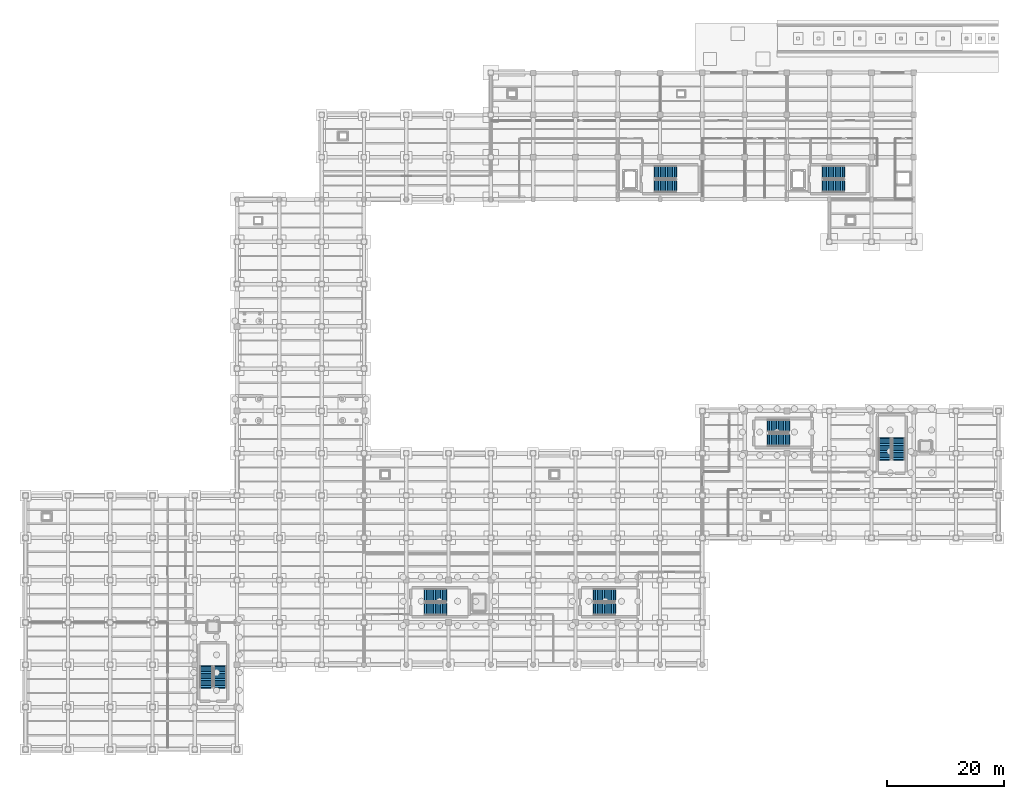
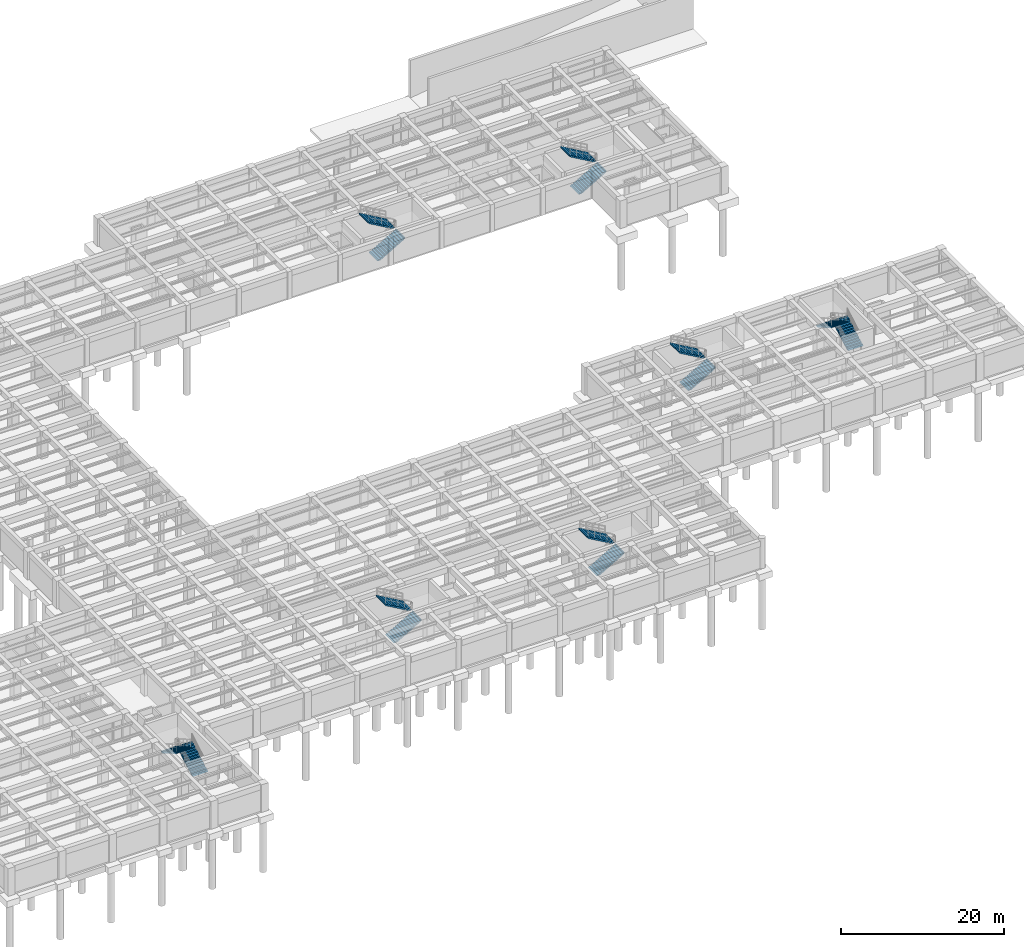
# One storey, part 23 of 34: 14 stair flights, 7 elements without a shape of their own.
"""IFC4 building model written with IfcOpenShell, lengths in metres."""

import ifcopenshell
import ifcopenshell.guid

model = None  # the IFC model being written
_history = None  # IfcOwnerHistory: only IFC2X3 demands one
_inside = {}  # id of a spatial element -> (the spatial element, [elements in it])
_under = {}  # id of a project, library or spatial element -> (it, [spatial elements below it])
_declared = {}  # id of a project -> (the project, [libraries it declares])
_typed = {}  # id of a type object -> (the type object, [elements of that type])
_made_of = {}  # id of a material, layer set ... -> (it, [elements and type objects made of it])


def new_model(schema):
    """Start an empty IFC model of exactly this schema.

    Asked for "IFC4X3", IfcOpenShell would pick the latest addendum, in which some entities
    have other attributes; the version numbers below select the first issue.
    IFC2X3 requires an IfcOwnerHistory on every rooted entity: one is made here for all.
    """
    global model, _history
    if schema == "IFC4X3":
        model = ifcopenshell.file(schema_version=(4, 3, 0, 0))
    else:
        model = ifcopenshell.file(schema=schema)
    _inside.clear()
    _under.clear()
    _declared.clear()
    _typed.clear()
    _made_of.clear()
    _history = None
    if model.schema == "IFC2X3":
        org = make("IfcOrganization", Name="unknown")
        user = make(
            "IfcPersonAndOrganization",
            ThePerson=make("IfcPerson", FamilyName="unknown"),
            TheOrganization=org,
        )
        app = make(
            "IfcApplication",
            ApplicationDeveloper=org,
            Version="unknown",
            ApplicationFullName="unknown",
            ApplicationIdentifier="unknown",
        )
        _history = make(
            "IfcOwnerHistory",
            OwningUser=user,
            OwningApplication=app,
            ChangeAction="ADDED",
            CreationDate=0,
        )
    return model


def make(cls, **values):
    """One entity of the class cls with the attributes given. An attribute that is None is left unset."""
    return model.create_entity(
        cls, **{name: value for name, value in values.items() if value is not None}
    )


def rooted(cls, **values):
    """An entity with a GlobalId (a new one), such as an element, a storey or a relation."""
    return make(cls, GlobalId=ifcopenshell.guid.new(), OwnerHistory=_history, **values)


def si_unit(unit_type, name, prefix=None):
    """IfcSIUnit, for example si_unit("LENGTHUNIT", "METRE", prefix="MILLI")."""
    return make("IfcSIUnit", UnitType=unit_type, Prefix=prefix, Name=name)


def assignment(units):
    """IfcUnitAssignment: the units of a project."""
    return None if units is None else make("IfcUnitAssignment", Units=units)


def point(xyz):
    """IfcCartesianPoint."""
    return None if xyz is None else make("IfcCartesianPoint", Coordinates=xyz)


def direction(xyz):
    """IfcDirection."""
    return None if xyz is None else make("IfcDirection", DirectionRatios=xyz)


def frame(location, z_axis=None, x_axis=None):
    """IfcAxis2Placement3D, a coordinate frame: its origin and axes. An axis left out is left unset."""
    return make(
        "IfcAxis2Placement3D",
        Location=point(location),
        Axis=direction(z_axis),
        RefDirection=direction(x_axis),
    )


def origin():
    """The frame at (0, 0, 0) with its axes left unset."""
    return frame((0.0, 0.0, 0.0))


def place(relative_to, where):
    """IfcLocalPlacement: puts the frame where relative to a parent placement (None: the world)."""
    return make(
        "IfcLocalPlacement", PlacementRelTo=relative_to, RelativePlacement=where
    )


def context(
    kind, dimensions, precision=None, world=None, true_north=None, identifier=None
):
    """IfcGeometricRepresentationContext, for example the 3D "Model" context."""
    return make(
        "IfcGeometricRepresentationContext",
        ContextIdentifier=identifier,
        ContextType=kind,
        CoordinateSpaceDimension=dimensions,
        Precision=precision,
        WorldCoordinateSystem=world,
        TrueNorth=true_north,
    )


def subcontext(parent, identifier, kind, view, scale=None):
    """IfcGeometricRepresentationSubContext, for example "Body" below "Model"."""
    return make(
        "IfcGeometricRepresentationSubContext",
        ContextIdentifier=identifier,
        ContextType=kind,
        ParentContext=parent,
        TargetScale=scale,
        TargetView=view,
    )


def project(units=None, contexts=None):
    """IfcProject with its units and contexts."""
    return rooted(
        "IfcProject",
        Name="project",
        RepresentationContexts=contexts,
        UnitsInContext=assignment(units),
    )


def spatial(cls, under=None, at=None, **own):
    """A site, building, storey or space (cls), placed at a placement, below another one or the project."""
    s = rooted(cls, ObjectPlacement=at, **own)
    if under is not None:
        _under.setdefault(under.id(), (under, []))[1].append(s)
    return s


def polyline(points):
    """IfcPolyline through the points."""
    return make("IfcPolyline", Points=[point(p) for p in points])


def outline(outer, holes=None, kind="AREA"):
    """IfcArbitraryClosedProfileDef: a profile drawn as a closed curve; with holes, ...WithVoids."""
    if holes is None:
        return make("IfcArbitraryClosedProfileDef", ProfileType=kind, OuterCurve=outer)
    return make(
        "IfcArbitraryProfileDefWithVoids",
        ProfileType=kind,
        OuterCurve=outer,
        InnerCurves=holes,
    )


def extrude(swept, where, along, depth):
    """IfcExtrudedAreaSolid: the profile swept, set in the frame where, extruded along a direction by depth."""
    return make(
        "IfcExtrudedAreaSolid",
        SweptArea=swept,
        Position=where,
        ExtrudedDirection=direction(along),
        Depth=depth,
    )


def shape(context_of_items, identifier, shape_type, items):
    """IfcShapeRepresentation: the items that make up one representation, for example the "Body"."""
    return make(
        "IfcShapeRepresentation",
        ContextOfItems=context_of_items,
        RepresentationIdentifier=identifier,
        RepresentationType=shape_type,
        Items=items,
    )


def material(Name=None, Category=None):
    """IfcMaterial."""
    return make("IfcMaterial", Name=Name, Category=Category)


def made_of(thing, what):
    """Note that an element or type object is made of a material, layer set ...; save() writes the relation."""
    if what is not None:
        _made_of.setdefault(what.id(), (what, []))[1].append(thing)
    return thing


def type_object(cls, material=None, **own):
    """A type object (cls), such as IfcWallType, which elements share."""
    return made_of(rooted(cls, **own), material)


def element(
    cls,
    number,
    at=None,
    inside=None,
    cuts=None,
    type_object=None,
    material=None,
    context=None,
    identifier="Body",
    shape_type=None,
    held_by="IfcProductDefinitionShape",
    body=None,
    shapes=None,
    **own,
):
    """One element of the class cls, such as IfcWall. Its Tag is "e" and its number.

    at: its placement. inside: the storey or other place that contains it. cuts: it is an
    opening in that element (IfcRelVoidsElement). A single representation is given by context,
    identifier, shape_type and body (its items); several are given by shapes. held_by: the class
    of the entity that holds the representations. save() writes the other relations.
    """
    e = rooted(cls, Tag="e%d" % number, ObjectPlacement=at, **own)
    if body is not None:
        shapes = [shape(context, identifier, shape_type, body)]
    if shapes is not None:
        e.Representation = make(held_by, Representations=shapes)
    if inside is not None:
        _inside.setdefault(inside.id(), (inside, []))[1].append(e)
    if cuts is not None:
        rooted(
            "IfcRelVoidsElement", RelatingBuildingElement=cuts, RelatedOpeningElement=e
        )
    if type_object is not None:
        _typed.setdefault(type_object.id(), (type_object, []))[1].append(e)
    return made_of(e, material)


def aggregate(whole, parts):
    """IfcRelAggregates: a whole, such as a stair, and the parts it consists of."""
    return rooted("IfcRelAggregates", RelatingObject=whole, RelatedObjects=parts)


def save(model, path):
    """Write the relations noted so far, then the file.

    IfcRelAggregates (storeys below a building ...), IfcRelContainedInSpatialStructure (elements
    in a storey), IfcRelDefinesByType, IfcRelAssociatesMaterial and IfcRelDeclares: one each for
    every whole, place, type object, material and project.
    """
    for whole, parts in _under.values():
        aggregate(whole, parts)
    for where, things in _inside.values():
        rooted(
            "IfcRelContainedInSpatialStructure",
            RelatedElements=things,
            RelatingStructure=where,
        )
    for kind, things in _typed.values():
        rooted("IfcRelDefinesByType", RelatedObjects=things, RelatingType=kind)
    for what, things in _made_of.values():
        rooted("IfcRelAssociatesMaterial", RelatedObjects=things, RelatingMaterial=what)
    for by, libraries in _declared.values():
        rooted("IfcRelDeclares", RelatingContext=by, RelatedDefinitions=libraries)
    model.write(path)


model = new_model("IFC4")

# Units and contexts
model_context = context("Model", 3, precision=1e-05, world=origin(), true_north=direction((0.0, 1.0)))
body_context = subcontext(model_context, "Body", "Model", "MODEL_VIEW")
ifc_project = project(units=[si_unit("LENGTHUNIT", "METRE"), si_unit("AREAUNIT", "SQUARE_METRE"), si_unit("VOLUMEUNIT", "CUBIC_METRE"), si_unit("PLANEANGLEUNIT", "RADIAN"), si_unit("MASSUNIT", "GRAM", prefix="KILO")], contexts=[model_context])

# Site, building, storey
site_placement = place(None, origin())
site = spatial("IfcSite", under=ifc_project, at=site_placement, CompositionType="ELEMENT")
building_placement = place(site_placement, origin())
building = spatial("IfcBuilding", under=site, at=building_placement, Name="Solenvale Faculty of Natural Sciences", CompositionType="ELEMENT")
storey_placement = place(building_placement, frame((0.0, 0.0, -4.5)))
storey = spatial("IfcBuildingStorey", under=building, at=storey_placement, Name="B01", CompositionType="ELEMENT", Elevation=-4.5)

# Stair, stair flights
ifc_material = material(Name="Concrete 40 MPa", Category="concrete")
stair_type = type_object("IfcStairType", Name="STR-CORE-25R", PredefinedType="DOUBLE_RETURN_STAIR", material=ifc_material)
stair_1_placement = place(storey_placement, origin())
stair_1 = element("IfcStair", 1, at=stair_1_placement, inside=storey, type_object=stair_type, Name="B01 Protected Exit Stair ST-01", PredefinedType="DOUBLE_RETURN_STAIR")
stair_flight_type = type_object("IfcStairFlightType", Name="SFL-RC-25R", PredefinedType="STRAIGHT", material=ifc_material)
stair_flight_1_placement = place(storey_placement, frame((33.125, 10.5400390625, 0.0), z_axis=(0.0, 0.0, 1.0), x_axis=(0.0, 1.0, 0.0)))
stair_flight_1 = element("IfcStairFlight", 2, at=stair_flight_1_placement, type_object=stair_flight_type, Name="ST-01 flight 1", NumberOfRisers=13, NumberOfTreads=12, PredefinedType="STRAIGHT", RiserHeight=0.173076923, TreadLength=0.3, context=body_context, shape_type="SweptSolid", body=[
    extrude(outline(polyline([(-0.159912109375, 0.0), (0.0, 0.173095703125), (0.300048828125, 0.173095703125), (0.300048828125, 0.34619140625), (0.60009765625, 0.34619140625), (0.60009765625, 0.519287109375), (0.89990234375, 0.519287109375), (0.89990234375, 0.6923828125), (1.199951171875, 0.6923828125), (1.199951171875, 0.865478515625), (1.5, 0.865478515625), (1.5, 1.03857421875), (1.800048828125, 1.03857421875), (1.800048828125, 1.21142578125), (2.10009765625, 1.21142578125), (2.10009765625, 1.384521484375), (2.39990234375, 1.384521484375), (2.39990234375, 1.5576171875), (2.699951171875, 1.5576171875), (2.699951171875, 1.730712890625), (3.0, 1.730712890625), (3.0, 1.90380859375), (3.300048828125, 1.90380859375), (3.300048828125, 2.076904296875), (3.60009765625, 2.076904296875), (3.60009765625, 2.25), (3.760009765625, 2.25), (3.760009765625, 2.10009765625), (3.60009765625, 1.90380859375), (0.300048828125, 0.0), (-0.159912109375, 0.0)])), frame((0.0, 1.074951171875, 0.0), z_axis=(0.0, -1.0, 0.0), x_axis=(1.0, 0.0, 0.0)), (0.0, 0.0, 1.0), 2.14990234375),
])
stair_flight_2_placement = place(storey_placement, frame((30.77490234375, 14.139892578125, 2.25), z_axis=(0.0, 0.0, 1.0), x_axis=(0.0, -1.0, 0.0)))
stair_flight_2 = element("IfcStairFlight", 3, at=stair_flight_2_placement, type_object=stair_flight_type, Name="ST-01 flight 2", NumberOfRisers=13, NumberOfTreads=12, PredefinedType="STRAIGHT", RiserHeight=0.173076923, TreadLength=0.3, context=body_context, shape_type="SweptSolid", body=[
    extrude(outline(polyline([(-0.159912109375, 0.0), (0.0, 0.173095703125), (0.300048828125, 0.173095703125), (0.300048828125, 0.34619140625), (0.60009765625, 0.34619140625), (0.60009765625, 0.519287109375), (0.89990234375, 0.519287109375), (0.89990234375, 0.6923828125), (1.199951171875, 0.6923828125), (1.199951171875, 0.865478515625), (1.5, 0.865478515625), (1.5, 1.03857421875), (1.800048828125, 1.03857421875), (1.800048828125, 1.21142578125), (2.10009765625, 1.21142578125), (2.10009765625, 1.384521484375), (2.39990234375, 1.384521484375), (2.39990234375, 1.5576171875), (2.699951171875, 1.5576171875), (2.699951171875, 1.730712890625), (3.0, 1.730712890625), (3.0, 1.90380859375), (3.300048828125, 1.90380859375), (3.300048828125, 2.076904296875), (3.60009765625, 2.076904296875), (3.60009765625, 2.25), (3.760009765625, 2.25), (3.760009765625, 2.10009765625), (3.60009765625, 1.90380859375), (0.300048828125, 0.0), (-0.159912109375, 0.0)])), frame((0.0, 1.074951171875, 0.0), z_axis=(0.0, -1.0, 0.0), x_axis=(1.0, 0.0, 0.0)), (0.0, 0.0, 1.0), 2.14990234375),
])
aggregate(stair_1, [stair_flight_1, stair_flight_2])

stair_2_placement = place(storey_placement, origin())
stair_2 = element("IfcStair", 4, at=stair_2_placement, inside=storey, type_object=stair_type, Name="B01 Protected Exit Stair ST-02", PredefinedType="DOUBLE_RETURN_STAIR")
stair_flight_3_placement = place(storey_placement, frame((148.625, 49.340087890625, 0.0), z_axis=(0.0, 0.0, 1.0), x_axis=(0.0, 1.0, 0.0)))
stair_flight_3 = element("IfcStairFlight", 5, at=stair_flight_3_placement, type_object=stair_flight_type, Name="ST-02 flight 1", NumberOfRisers=13, NumberOfTreads=12, PredefinedType="STRAIGHT", RiserHeight=0.173076923, TreadLength=0.3, context=body_context, shape_type="SweptSolid", body=[
    extrude(outline(polyline([(-0.159912109375, 0.0), (0.0, 0.173095703125), (0.300048828125, 0.173095703125), (0.300048828125, 0.34619140625), (0.60009765625, 0.34619140625), (0.60009765625, 0.519287109375), (0.89990234375, 0.519287109375), (0.89990234375, 0.6923828125), (1.199951171875, 0.6923828125), (1.199951171875, 0.865478515625), (1.5, 0.865478515625), (1.5, 1.03857421875), (1.800048828125, 1.03857421875), (1.800048828125, 1.21142578125), (2.10009765625, 1.21142578125), (2.10009765625, 1.384521484375), (2.39990234375, 1.384521484375), (2.39990234375, 1.5576171875), (2.699951171875, 1.5576171875), (2.699951171875, 1.730712890625), (3.0, 1.730712890625), (3.0, 1.90380859375), (3.300048828125, 1.90380859375), (3.300048828125, 2.076904296875), (3.60009765625, 2.076904296875), (3.60009765625, 2.25), (3.760009765625, 2.25), (3.760009765625, 2.10009765625), (3.60009765625, 1.90380859375), (0.300048828125, 0.0), (-0.159912109375, 0.0)])), frame((0.0, 1.074951171875, 0.0), z_axis=(0.0, -1.0, 0.0), x_axis=(1.0, 0.0, 0.0)), (0.0, 0.0, 1.0), 2.14990234375),
])
stair_flight_4_placement = place(storey_placement, frame((146.27490234375, 52.93994140625, 2.25), z_axis=(0.0, 0.0, 1.0), x_axis=(0.0, -1.0, 0.0)))
stair_flight_4 = element("IfcStairFlight", 6, at=stair_flight_4_placement, type_object=stair_flight_type, Name="ST-02 flight 2", NumberOfRisers=13, NumberOfTreads=12, PredefinedType="STRAIGHT", RiserHeight=0.173076923, TreadLength=0.3, context=body_context, shape_type="SweptSolid", body=[
    extrude(outline(polyline([(-0.159912109375, 0.0), (0.0, 0.173095703125), (0.300048828125, 0.173095703125), (0.300048828125, 0.34619140625), (0.60009765625, 0.34619140625), (0.60009765625, 0.519287109375), (0.89990234375, 0.519287109375), (0.89990234375, 0.6923828125), (1.199951171875, 0.6923828125), (1.199951171875, 0.865478515625), (1.5, 0.865478515625), (1.5, 1.03857421875), (1.800048828125, 1.03857421875), (1.800048828125, 1.21142578125), (2.10009765625, 1.21142578125), (2.10009765625, 1.384521484375), (2.39990234375, 1.384521484375), (2.39990234375, 1.5576171875), (2.699951171875, 1.5576171875), (2.699951171875, 1.730712890625), (3.0, 1.730712890625), (3.0, 1.90380859375), (3.300048828125, 1.90380859375), (3.300048828125, 2.076904296875), (3.60009765625, 2.076904296875), (3.60009765625, 2.25), (3.760009765625, 2.25), (3.760009765625, 2.10009765625), (3.60009765625, 1.90380859375), (0.300048828125, 0.0), (-0.159912109375, 0.0)])), frame((0.0, 1.074951171875, 0.0), z_axis=(0.0, -1.0, 0.0), x_axis=(1.0, 0.0, 0.0)), (0.0, 0.0, 1.0), 2.14990234375),
])
aggregate(stair_2, [stair_flight_3, stair_flight_4])

stair_3_placement = place(storey_placement, origin())
stair_3 = element("IfcStair", 7, at=stair_3_placement, inside=storey, type_object=stair_type, Name="B01 Protected Exit Stair ST-08", PredefinedType="DOUBLE_RETURN_STAIR")
stair_flight_5_placement = place(storey_placement, frame((126.340087890625, 52.675048828125, 0.0), z_axis=(0.0, 0.0, 1.0), x_axis=(1.0, 0.0, 0.0)))
stair_flight_5 = element("IfcStairFlight", 8, at=stair_flight_5_placement, type_object=stair_flight_type, Name="ST-08 flight 1", NumberOfRisers=13, NumberOfTreads=12, PredefinedType="STRAIGHT", RiserHeight=0.173076923, TreadLength=0.3, context=body_context, shape_type="SweptSolid", body=[
    extrude(outline(polyline([(-0.159912109375, 0.0), (0.0, 0.173095703125), (0.300048828125, 0.173095703125), (0.300048828125, 0.34619140625), (0.60009765625, 0.34619140625), (0.60009765625, 0.519287109375), (0.89990234375, 0.519287109375), (0.89990234375, 0.6923828125), (1.199951171875, 0.6923828125), (1.199951171875, 0.865478515625), (1.5, 0.865478515625), (1.5, 1.03857421875), (1.800048828125, 1.03857421875), (1.800048828125, 1.21142578125), (2.10009765625, 1.21142578125), (2.10009765625, 1.384521484375), (2.39990234375, 1.384521484375), (2.39990234375, 1.5576171875), (2.699951171875, 1.5576171875), (2.699951171875, 1.730712890625), (3.0, 1.730712890625), (3.0, 1.90380859375), (3.300048828125, 1.90380859375), (3.300048828125, 2.076904296875), (3.60009765625, 2.076904296875), (3.60009765625, 2.25), (3.760009765625, 2.25), (3.760009765625, 2.10009765625), (3.60009765625, 1.90380859375), (0.300048828125, 0.0), (-0.159912109375, 0.0)])), frame((0.0, 1.074951171875, 0.0), z_axis=(0.0, -1.0, 0.0), x_axis=(1.0, 0.0, 0.0)), (0.0, 0.0, 1.0), 2.14990234375),
])
stair_flight_6_placement = place(storey_placement, frame((129.93994140625, 55.02490234375, 2.25), z_axis=(0.0, 0.0, 1.0), x_axis=(-1.0, 0.0, 0.0)))
stair_flight_6 = element("IfcStairFlight", 9, at=stair_flight_6_placement, type_object=stair_flight_type, Name="ST-08 flight 2", NumberOfRisers=13, NumberOfTreads=12, PredefinedType="STRAIGHT", RiserHeight=0.173076923, TreadLength=0.3, context=body_context, shape_type="SweptSolid", body=[
    extrude(outline(polyline([(-0.159912109375, 0.0), (0.0, 0.173095703125), (0.300048828125, 0.173095703125), (0.300048828125, 0.34619140625), (0.60009765625, 0.34619140625), (0.60009765625, 0.519287109375), (0.89990234375, 0.519287109375), (0.89990234375, 0.6923828125), (1.199951171875, 0.6923828125), (1.199951171875, 0.865478515625), (1.5, 0.865478515625), (1.5, 1.03857421875), (1.800048828125, 1.03857421875), (1.800048828125, 1.21142578125), (2.10009765625, 1.21142578125), (2.10009765625, 1.384521484375), (2.39990234375, 1.384521484375), (2.39990234375, 1.5576171875), (2.699951171875, 1.5576171875), (2.699951171875, 1.730712890625), (3.0, 1.730712890625), (3.0, 1.90380859375), (3.300048828125, 1.90380859375), (3.300048828125, 2.076904296875), (3.60009765625, 2.076904296875), (3.60009765625, 2.25), (3.760009765625, 2.25), (3.760009765625, 2.10009765625), (3.60009765625, 1.90380859375), (0.300048828125, 0.0), (-0.159912109375, 0.0)])), frame((0.0, 1.074951171875, 0.0), z_axis=(0.0, -1.0, 0.0), x_axis=(1.0, 0.0, 0.0)), (0.0, 0.0, 1.0), 2.14990234375),
])
aggregate(stair_3, [stair_flight_5, stair_flight_6])

stair_4_placement = place(storey_placement, origin())
stair_4 = element("IfcStair", 10, at=stair_4_placement, inside=storey, type_object=stair_type, Name="B01 Protected Exit Stair ST-03", PredefinedType="DOUBLE_RETURN_STAIR")
stair_flight_7_placement = place(storey_placement, frame((67.93994140625, 23.875, 0.0), z_axis=(0.0, 0.0, 1.0), x_axis=(1.0, 0.0, 0.0)))
stair_flight_7 = element("IfcStairFlight", 11, at=stair_flight_7_placement, type_object=stair_flight_type, Name="ST-03 flight 1", NumberOfRisers=13, NumberOfTreads=12, PredefinedType="STRAIGHT", RiserHeight=0.173076923, TreadLength=0.3, context=body_context, shape_type="SweptSolid", body=[
    extrude(outline(polyline([(-0.159912109375, 0.0), (0.0, 0.173095703125), (0.300048828125, 0.173095703125), (0.300048828125, 0.34619140625), (0.60009765625, 0.34619140625), (0.60009765625, 0.519287109375), (0.89990234375, 0.519287109375), (0.89990234375, 0.6923828125), (1.199951171875, 0.6923828125), (1.199951171875, 0.865478515625), (1.5, 0.865478515625), (1.5, 1.03857421875), (1.800048828125, 1.03857421875), (1.800048828125, 1.21142578125), (2.10009765625, 1.21142578125), (2.10009765625, 1.384521484375), (2.39990234375, 1.384521484375), (2.39990234375, 1.5576171875), (2.699951171875, 1.5576171875), (2.699951171875, 1.730712890625), (3.0, 1.730712890625), (3.0, 1.90380859375), (3.300048828125, 1.90380859375), (3.300048828125, 2.076904296875), (3.60009765625, 2.076904296875), (3.60009765625, 2.25), (3.760009765625, 2.25), (3.760009765625, 2.10009765625), (3.60009765625, 1.90380859375), (0.300048828125, 0.0), (-0.159912109375, 0.0)])), frame((0.0, 1.074951171875, 0.0), z_axis=(0.0, -1.0, 0.0), x_axis=(1.0, 0.0, 0.0)), (0.0, 0.0, 1.0), 2.14990234375),
])
stair_flight_8_placement = place(storey_placement, frame((71.5400390625, 26.22509765625, 2.25), z_axis=(0.0, 0.0, 1.0), x_axis=(-1.0, 0.0, 0.0)))
stair_flight_8 = element("IfcStairFlight", 12, at=stair_flight_8_placement, type_object=stair_flight_type, Name="ST-03 flight 2", NumberOfRisers=13, NumberOfTreads=12, PredefinedType="STRAIGHT", RiserHeight=0.173076923, TreadLength=0.3, context=body_context, shape_type="SweptSolid", body=[
    extrude(outline(polyline([(-0.159912109375, 0.0), (0.0, 0.173095703125), (0.300048828125, 0.173095703125), (0.300048828125, 0.34619140625), (0.60009765625, 0.34619140625), (0.60009765625, 0.519287109375), (0.89990234375, 0.519287109375), (0.89990234375, 0.6923828125), (1.199951171875, 0.6923828125), (1.199951171875, 0.865478515625), (1.5, 0.865478515625), (1.5, 1.03857421875), (1.800048828125, 1.03857421875), (1.800048828125, 1.21142578125), (2.10009765625, 1.21142578125), (2.10009765625, 1.384521484375), (2.39990234375, 1.384521484375), (2.39990234375, 1.5576171875), (2.699951171875, 1.5576171875), (2.699951171875, 1.730712890625), (3.0, 1.730712890625), (3.0, 1.90380859375), (3.300048828125, 1.90380859375), (3.300048828125, 2.076904296875), (3.60009765625, 2.076904296875), (3.60009765625, 2.25), (3.760009765625, 2.25), (3.760009765625, 2.10009765625), (3.60009765625, 1.90380859375), (0.300048828125, 0.0), (-0.159912109375, 0.0)])), frame((0.0, 1.074951171875, 0.0), z_axis=(0.0, -1.0, 0.0), x_axis=(1.0, 0.0, 0.0)), (0.0, 0.0, 1.0), 2.14990234375),
])
aggregate(stair_4, [stair_flight_7, stair_flight_8])

stair_5_placement = place(storey_placement, origin())
stair_5 = element("IfcStair", 13, at=stair_5_placement, inside=storey, type_object=stair_type, Name="B01 Protected Exit Stair ST-07", PredefinedType="DOUBLE_RETURN_STAIR")
stair_flight_9_placement = place(storey_placement, frame((96.739990234375, 23.875, 0.0), z_axis=(0.0, 0.0, 1.0), x_axis=(1.0, 0.0, 0.0)))
stair_flight_9 = element("IfcStairFlight", 14, at=stair_flight_9_placement, type_object=stair_flight_type, Name="ST-07 flight 1", NumberOfRisers=13, NumberOfTreads=12, PredefinedType="STRAIGHT", RiserHeight=0.173076923, TreadLength=0.3, context=body_context, shape_type="SweptSolid", body=[
    extrude(outline(polyline([(-0.159912109375, 0.0), (0.0, 0.173095703125), (0.300048828125, 0.173095703125), (0.300048828125, 0.34619140625), (0.60009765625, 0.34619140625), (0.60009765625, 0.519287109375), (0.89990234375, 0.519287109375), (0.89990234375, 0.6923828125), (1.199951171875, 0.6923828125), (1.199951171875, 0.865478515625), (1.5, 0.865478515625), (1.5, 1.03857421875), (1.800048828125, 1.03857421875), (1.800048828125, 1.21142578125), (2.10009765625, 1.21142578125), (2.10009765625, 1.384521484375), (2.39990234375, 1.384521484375), (2.39990234375, 1.5576171875), (2.699951171875, 1.5576171875), (2.699951171875, 1.730712890625), (3.0, 1.730712890625), (3.0, 1.90380859375), (3.300048828125, 1.90380859375), (3.300048828125, 2.076904296875), (3.60009765625, 2.076904296875), (3.60009765625, 2.25), (3.760009765625, 2.25), (3.760009765625, 2.10009765625), (3.60009765625, 1.90380859375), (0.300048828125, 0.0), (-0.159912109375, 0.0)])), frame((0.0, 1.074951171875, 0.0), z_axis=(0.0, -1.0, 0.0), x_axis=(1.0, 0.0, 0.0)), (0.0, 0.0, 1.0), 2.14990234375),
])
stair_flight_10_placement = place(storey_placement, frame((100.340087890625, 26.22509765625, 2.25), z_axis=(0.0, 0.0, 1.0), x_axis=(-1.0, 0.0, 0.0)))
stair_flight_10 = element("IfcStairFlight", 15, at=stair_flight_10_placement, type_object=stair_flight_type, Name="ST-07 flight 2", NumberOfRisers=13, NumberOfTreads=12, PredefinedType="STRAIGHT", RiserHeight=0.173076923, TreadLength=0.3, context=body_context, shape_type="SweptSolid", body=[
    extrude(outline(polyline([(-0.159912109375, 0.0), (0.0, 0.173095703125), (0.300048828125, 0.173095703125), (0.300048828125, 0.34619140625), (0.60009765625, 0.34619140625), (0.60009765625, 0.519287109375), (0.89990234375, 0.519287109375), (0.89990234375, 0.6923828125), (1.199951171875, 0.6923828125), (1.199951171875, 0.865478515625), (1.5, 0.865478515625), (1.5, 1.03857421875), (1.800048828125, 1.03857421875), (1.800048828125, 1.21142578125), (2.10009765625, 1.21142578125), (2.10009765625, 1.384521484375), (2.39990234375, 1.384521484375), (2.39990234375, 1.5576171875), (2.699951171875, 1.5576171875), (2.699951171875, 1.730712890625), (3.0, 1.730712890625), (3.0, 1.90380859375), (3.300048828125, 1.90380859375), (3.300048828125, 2.076904296875), (3.60009765625, 2.076904296875), (3.60009765625, 2.25), (3.760009765625, 2.25), (3.760009765625, 2.10009765625), (3.60009765625, 1.90380859375), (0.300048828125, 0.0), (-0.159912109375, 0.0)])), frame((0.0, 1.074951171875, 0.0), z_axis=(0.0, -1.0, 0.0), x_axis=(1.0, 0.0, 0.0)), (0.0, 0.0, 1.0), 2.14990234375),
])
aggregate(stair_5, [stair_flight_9, stair_flight_10])

stair_6_placement = place(storey_placement, origin())
stair_6 = element("IfcStair", 16, at=stair_6_placement, inside=storey, type_object=stair_type, Name="B01 Protected Exit Stair ST-04", PredefinedType="DOUBLE_RETURN_STAIR")
stair_flight_11_placement = place(storey_placement, frame((107.139892578125, 95.875, 0.0), z_axis=(0.0, 0.0, 1.0), x_axis=(1.0, 0.0, 0.0)))
stair_flight_11 = element("IfcStairFlight", 17, at=stair_flight_11_placement, type_object=stair_flight_type, Name="ST-04 flight 1", NumberOfRisers=13, NumberOfTreads=12, PredefinedType="STRAIGHT", RiserHeight=0.173076923, TreadLength=0.3, context=body_context, shape_type="SweptSolid", body=[
    extrude(outline(polyline([(-0.159912109375, 0.0), (0.0, 0.173095703125), (0.300048828125, 0.173095703125), (0.300048828125, 0.34619140625), (0.60009765625, 0.34619140625), (0.60009765625, 0.519287109375), (0.89990234375, 0.519287109375), (0.89990234375, 0.6923828125), (1.199951171875, 0.6923828125), (1.199951171875, 0.865478515625), (1.5, 0.865478515625), (1.5, 1.03857421875), (1.800048828125, 1.03857421875), (1.800048828125, 1.21142578125), (2.10009765625, 1.21142578125), (2.10009765625, 1.384521484375), (2.39990234375, 1.384521484375), (2.39990234375, 1.5576171875), (2.699951171875, 1.5576171875), (2.699951171875, 1.730712890625), (3.0, 1.730712890625), (3.0, 1.90380859375), (3.300048828125, 1.90380859375), (3.300048828125, 2.076904296875), (3.60009765625, 2.076904296875), (3.60009765625, 2.25), (3.760009765625, 2.25), (3.760009765625, 2.10009765625), (3.60009765625, 1.90380859375), (0.300048828125, 0.0), (-0.159912109375, 0.0)])), frame((0.0, 1.074951171875, 0.0), z_axis=(0.0, -1.0, 0.0), x_axis=(1.0, 0.0, 0.0)), (0.0, 0.0, 1.0), 2.14990234375),
])
stair_flight_12_placement = place(storey_placement, frame((110.739990234375, 98.22509765625, 2.25), z_axis=(0.0, 0.0, 1.0), x_axis=(-1.0, 0.0, 0.0)))
stair_flight_12 = element("IfcStairFlight", 18, at=stair_flight_12_placement, type_object=stair_flight_type, Name="ST-04 flight 2", NumberOfRisers=13, NumberOfTreads=12, PredefinedType="STRAIGHT", RiserHeight=0.173076923, TreadLength=0.3, context=body_context, shape_type="SweptSolid", body=[
    extrude(outline(polyline([(-0.159912109375, 0.0), (0.0, 0.173095703125), (0.300048828125, 0.173095703125), (0.300048828125, 0.34619140625), (0.60009765625, 0.34619140625), (0.60009765625, 0.519287109375), (0.89990234375, 0.519287109375), (0.89990234375, 0.6923828125), (1.199951171875, 0.6923828125), (1.199951171875, 0.865478515625), (1.5, 0.865478515625), (1.5, 1.03857421875), (1.800048828125, 1.03857421875), (1.800048828125, 1.21142578125), (2.10009765625, 1.21142578125), (2.10009765625, 1.384521484375), (2.39990234375, 1.384521484375), (2.39990234375, 1.5576171875), (2.699951171875, 1.5576171875), (2.699951171875, 1.730712890625), (3.0, 1.730712890625), (3.0, 1.90380859375), (3.300048828125, 1.90380859375), (3.300048828125, 2.076904296875), (3.60009765625, 2.076904296875), (3.60009765625, 2.25), (3.760009765625, 2.25), (3.760009765625, 2.10009765625), (3.60009765625, 1.90380859375), (0.300048828125, 0.0), (-0.159912109375, 0.0)])), frame((0.0, 1.074951171875, 0.0), z_axis=(0.0, -1.0, 0.0), x_axis=(1.0, 0.0, 0.0)), (0.0, 0.0, 1.0), 2.14990234375),
])
aggregate(stair_6, [stair_flight_11, stair_flight_12])

stair_7_placement = place(storey_placement, origin())
stair_7 = element("IfcStair", 19, at=stair_7_placement, inside=storey, type_object=stair_type, Name="B01 Protected Exit Stair ST-05", PredefinedType="DOUBLE_RETURN_STAIR")
stair_flight_13_placement = place(storey_placement, frame((135.739990234375, 95.875, 0.0), z_axis=(0.0, 0.0, 1.0), x_axis=(1.0, 0.0, 0.0)))
stair_flight_13 = element("IfcStairFlight", 20, at=stair_flight_13_placement, type_object=stair_flight_type, Name="ST-05 flight 1", NumberOfRisers=13, NumberOfTreads=12, PredefinedType="STRAIGHT", RiserHeight=0.173076923, TreadLength=0.3, context=body_context, shape_type="SweptSolid", body=[
    extrude(outline(polyline([(-0.159912109375, 0.0), (0.0, 0.173095703125), (0.300048828125, 0.173095703125), (0.300048828125, 0.34619140625), (0.60009765625, 0.34619140625), (0.60009765625, 0.519287109375), (0.89990234375, 0.519287109375), (0.89990234375, 0.6923828125), (1.199951171875, 0.6923828125), (1.199951171875, 0.865478515625), (1.5, 0.865478515625), (1.5, 1.03857421875), (1.800048828125, 1.03857421875), (1.800048828125, 1.21142578125), (2.10009765625, 1.21142578125), (2.10009765625, 1.384521484375), (2.39990234375, 1.384521484375), (2.39990234375, 1.5576171875), (2.699951171875, 1.5576171875), (2.699951171875, 1.730712890625), (3.0, 1.730712890625), (3.0, 1.90380859375), (3.300048828125, 1.90380859375), (3.300048828125, 2.076904296875), (3.60009765625, 2.076904296875), (3.60009765625, 2.25), (3.760009765625, 2.25), (3.760009765625, 2.10009765625), (3.60009765625, 1.90380859375), (0.300048828125, 0.0), (-0.159912109375, 0.0)])), frame((0.0, 1.074951171875, 0.0), z_axis=(0.0, -1.0, 0.0), x_axis=(1.0, 0.0, 0.0)), (0.0, 0.0, 1.0), 2.14990234375),
])
stair_flight_14_placement = place(storey_placement, frame((139.340087890625, 98.22509765625, 2.25), z_axis=(0.0, 0.0, 1.0), x_axis=(-1.0, 0.0, 0.0)))
stair_flight_14 = element("IfcStairFlight", 21, at=stair_flight_14_placement, type_object=stair_flight_type, Name="ST-05 flight 2", NumberOfRisers=13, NumberOfTreads=12, PredefinedType="STRAIGHT", RiserHeight=0.173076923, TreadLength=0.3, context=body_context, shape_type="SweptSolid", body=[
    extrude(outline(polyline([(-0.159912109375, 0.0), (0.0, 0.173095703125), (0.300048828125, 0.173095703125), (0.300048828125, 0.34619140625), (0.60009765625, 0.34619140625), (0.60009765625, 0.519287109375), (0.89990234375, 0.519287109375), (0.89990234375, 0.6923828125), (1.199951171875, 0.6923828125), (1.199951171875, 0.865478515625), (1.5, 0.865478515625), (1.5, 1.03857421875), (1.800048828125, 1.03857421875), (1.800048828125, 1.21142578125), (2.10009765625, 1.21142578125), (2.10009765625, 1.384521484375), (2.39990234375, 1.384521484375), (2.39990234375, 1.5576171875), (2.699951171875, 1.5576171875), (2.699951171875, 1.730712890625), (3.0, 1.730712890625), (3.0, 1.90380859375), (3.300048828125, 1.90380859375), (3.300048828125, 2.076904296875), (3.60009765625, 2.076904296875), (3.60009765625, 2.25), (3.760009765625, 2.25), (3.760009765625, 2.10009765625), (3.60009765625, 1.90380859375), (0.300048828125, 0.0), (-0.159912109375, 0.0)])), frame((0.0, 1.074951171875, 0.0), z_axis=(0.0, -1.0, 0.0), x_axis=(1.0, 0.0, 0.0)), (0.0, 0.0, 1.0), 2.14990234375),
])
aggregate(stair_7, [stair_flight_13, stair_flight_14])

save(model, "model.ifc")
